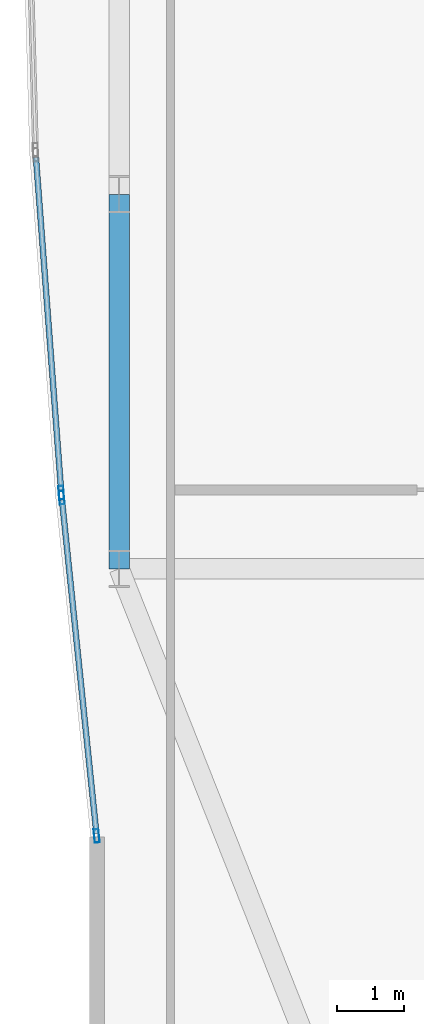
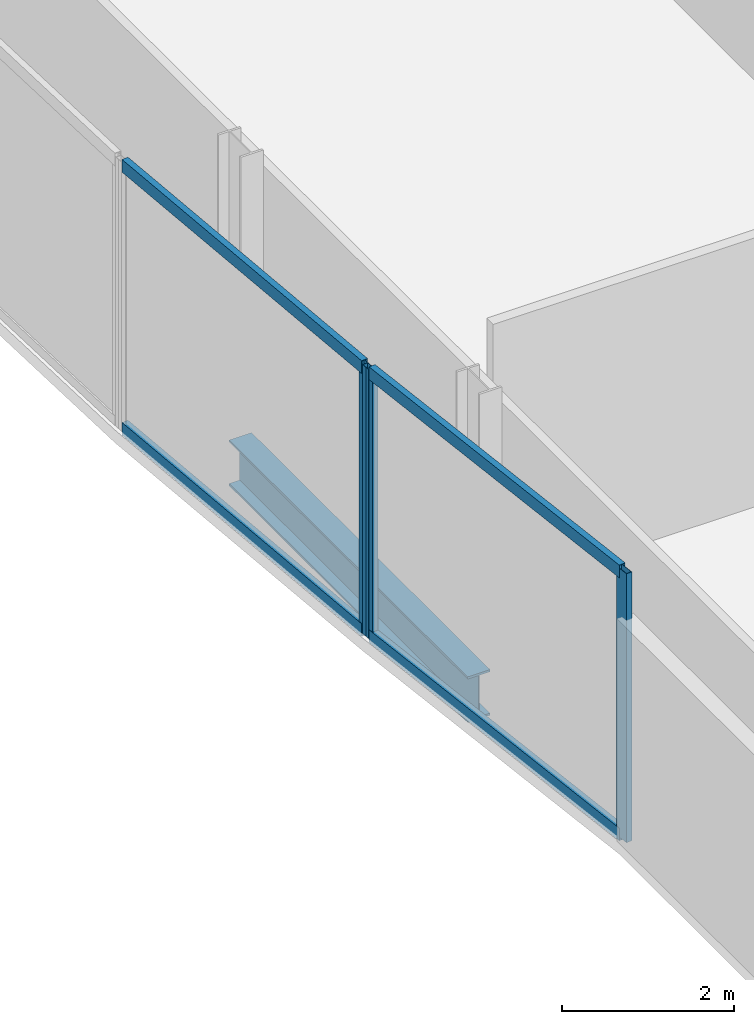
# One storey, part 6 of 32: 7 members, 1 beam, 2 elements without a shape of their own.
"""IFC4 building model written with IfcOpenShell, lengths in metres."""

from ifc_helpers import new_model, si_unit, direction, frame, origin, origin_2d, place, context, subcontext, project, spatial, hollow_rectangle, i_section, extrude, material, material_profile, profile_set, type_object, element, aggregate, save


model = new_model("IFC4")

# Units and contexts
model_context = context("Model", 3, precision=1e-05, world=origin(), true_north=direction((0.0, 1.0)))
body_context = subcontext(model_context, "Body", "Model", "MODEL_VIEW")
ifc_project = project(units=[si_unit("LENGTHUNIT", "METRE"), si_unit("AREAUNIT", "SQUARE_METRE"), si_unit("VOLUMEUNIT", "CUBIC_METRE"), si_unit("PLANEANGLEUNIT", "RADIAN"), si_unit("MASSUNIT", "GRAM", prefix="KILO")], contexts=[model_context])

# Site, building, storey
site_placement = place(None, origin())
site = spatial("IfcSite", under=ifc_project, at=site_placement, CompositionType="ELEMENT")
building_placement = place(site_placement, origin())
building = spatial("IfcBuilding", under=site, at=building_placement, Name="Khoronbel Lancet Exchange", CompositionType="ELEMENT")
storey_placement = place(building_placement, frame((0.0, 0.0, 29.800048828125)))
storey = spatial("IfcBuildingStorey", under=building, at=storey_placement, Name="L06", CompositionType="ELEMENT", Elevation=29.800048828125)

# Beam
ifc_material_1 = material(Name="Steel S355", Category="steel")
ifc_material_profile_1 = material_profile(ifc_material_1, i_section(OverallWidth=0.300048828125, OverallDepth=0.64990234375, WebThickness=0.01611328125, FlangeThickness=0.031005859375, at=origin_2d()), Name="HEB 650")
ifc_profile_set_1 = profile_set([ifc_material_profile_1], Name="Steel S355")
beam_type = type_object("IfcBeamType", Name="BM-BSP1", PredefinedType="SPANDREL", material=ifc_profile_set_1)
beam_placement = place(storey_placement, frame((1.27001953125, 24.75, -0.505126953125), z_axis=(0.0, -1.0, 0.0), x_axis=(1.0, 0.0, 0.0)))
element("IfcBeam", 1, at=beam_placement, inside=storey, type_object=beam_type, Name="Level L06 perimeter spandrel beam SP20", PredefinedType="SPANDREL", context=body_context, shape_type="SweptSolid", body=[
    extrude(i_section(OverallWidth=0.300048828125, OverallDepth=0.64990234375, WebThickness=0.01611328125, FlangeThickness=0.031005859375, at=origin_2d()), origin(), (0.0, 0.0, 1.0), 5.550048828125),
])

# Curtain wall, members
ifc_material_2 = material(Name="Low-E Solar Control Insulating Glass", Category="glass")
curtain_wall_type = type_object("IfcCurtainWallType", Name="CW-4", PredefinedType="NOTDEFINED", material=ifc_material_2)
curtain_wall_1_placement = place(storey_placement, origin())
curtain_wall_1 = element("IfcCurtainWall", 2, at=curtain_wall_1_placement, inside=storey, type_object=curtain_wall_type, Name="Unitised curtain wall CW-L06-E04", PredefinedType="NOTDEFINED")
ifc_material_3 = material(Name="Bronze-Anodised Aluminium 6063-T6", Category="aluminium")
ifc_material_profile_2 = material_profile(ifc_material_3, hollow_rectangle(XDim=0.074951171875, YDim=0.199951171875, WallThickness=0.0048828125, at=origin_2d()), Name="ALU MULLION 75x200")
ifc_profile_set_2 = profile_set([ifc_material_profile_2], Name="Bronze-Anodised Aluminium 6063-T6")
member_type_1 = type_object("IfcMemberType", Name="MEM-CWM2", PredefinedType="MULLION", material=ifc_profile_set_2)
member_1_placement = place(storey_placement, frame((0.93603515625, 15.241943359375, 0.0), z_axis=(0.0, 0.0, 1.0), x_axis=(-0.994709998998, -0.102723015403, 0.0)))
member_1 = element("IfcMember", 3, at=member_1_placement, type_object=member_type_1, Name="CW4 mullion 1", PredefinedType="MULLION", context=body_context, shape_type="SweptSolid", body=[
    extrude(hollow_rectangle(XDim=0.074951171875, YDim=0.199951171875, WallThickness=0.0048828125, at=origin_2d()), origin(), (0.0, 0.0, 1.0), 3.820068359375),
])
member_2_placement = place(storey_placement, frame((0.41845703125, 20.25390625, 0.0), z_axis=(0.0, 0.0, 1.0), x_axis=(-0.994709998998, -0.102723015403, 0.0)))
member_2 = element("IfcMember", 4, at=member_2_placement, type_object=member_type_1, Name="CW4 mullion 2", PredefinedType="MULLION", context=body_context, shape_type="SweptSolid", body=[
    extrude(hollow_rectangle(XDim=0.074951171875, YDim=0.199951171875, WallThickness=0.0048828125, at=origin_2d()), origin(), (0.0, 0.0, 1.0), 3.820068359375),
])

# Curtain wall, member
curtain_wall_2_placement = place(storey_placement, origin())
curtain_wall_2 = element("IfcCurtainWall", 5, at=curtain_wall_2_placement, inside=storey, type_object=curtain_wall_type, Name="Unitised curtain wall CW-L06-E05", PredefinedType="NOTDEFINED")
member_3_placement = place(storey_placement, frame((0.411865234375, 20.32861328125, 0.0), z_axis=(0.0, 0.0, 1.0), x_axis=(-0.997153744129, -0.075395030141, 0.0)))
member_3 = element("IfcMember", 6, at=member_3_placement, type_object=member_type_1, Name="CW4 mullion 1", PredefinedType="MULLION", context=body_context, shape_type="SweptSolid", body=[
    extrude(hollow_rectangle(XDim=0.074951171875, YDim=0.199951171875, WallThickness=0.0048828125, at=origin_2d()), origin(), (0.0, 0.0, 1.0), 3.820068359375),
])

# Member
ifc_material_profile_3 = material_profile(ifc_material_3, hollow_rectangle(XDim=0.0849609375, YDim=0.179931640625, WallThickness=0.0048828125, at=origin_2d()), Name="ALU TRANSOM 85x180")
ifc_profile_set_3 = profile_set([ifc_material_profile_3], Name="Bronze-Anodised Aluminium 6063-T6")
member_type_2 = type_object("IfcMemberType", Name="MEM-CWT1", PredefinedType="USERDEFINED", material=ifc_profile_set_3)
member_4_placement = place(storey_placement, frame((0.932373046875, 15.279296875, 0.04248046875), z_axis=(-0.102746446428, 0.994707579013, 0.0), x_axis=(-0.994707579013, -0.102746446428, 0.0)))
member_4 = element("IfcMember", 7, at=member_4_placement, type_object=member_type_2, Name="CW4 transom 1.1", ObjectType="TRANSOM", PredefinedType="USERDEFINED", context=body_context, shape_type="SweptSolid", body=[
    extrude(hollow_rectangle(XDim=0.0849609375, YDim=0.179931640625, WallThickness=0.0048828125, at=origin_2d()), origin(), (0.0, 0.0, 1.0), 4.9638671875),
])

member_5_placement = place(storey_placement, frame((0.932373046875, 15.279296875, 3.77734375), z_axis=(-0.102746446428, 0.994707579013, 0.0), x_axis=(-0.994707579013, -0.102746446428, 0.0)))
member_5 = element("IfcMember", 8, at=member_5_placement, type_object=member_type_2, Name="CW4 transom 1.2", ObjectType="TRANSOM", PredefinedType="USERDEFINED", context=body_context, shape_type="SweptSolid", body=[
    extrude(hollow_rectangle(XDim=0.0849609375, YDim=0.179931640625, WallThickness=0.0048828125, at=origin_2d()), origin(), (0.0, 0.0, 1.0), 4.9638671875),
])

aggregate(curtain_wall_1, [member_1, member_2, member_4, member_5])

member_6_placement = place(storey_placement, frame((0.408935546875, 20.365966796875, 0.04248046875), z_axis=(-0.07539383567, 0.997153834442, 0.0), x_axis=(-0.997153834442, -0.07539383567, 0.0)))
member_6 = element("IfcMember", 9, at=member_6_placement, type_object=member_type_2, Name="CW4 transom 1.1", ObjectType="TRANSOM", PredefinedType="USERDEFINED", context=body_context, shape_type="SweptSolid", body=[
    extrude(hollow_rectangle(XDim=0.0849609375, YDim=0.179931640625, WallThickness=0.0048828125, at=origin_2d()), origin(), (0.0, 0.0, 1.0), 4.94482421875),
])

member_7_placement = place(storey_placement, frame((0.408935546875, 20.365966796875, 3.77734375), z_axis=(-0.07539383567, 0.997153834442, 0.0), x_axis=(-0.997153834442, -0.07539383567, 0.0)))
member_7 = element("IfcMember", 10, at=member_7_placement, type_object=member_type_2, Name="CW4 transom 1.2", ObjectType="TRANSOM", PredefinedType="USERDEFINED", context=body_context, shape_type="SweptSolid", body=[
    extrude(hollow_rectangle(XDim=0.0849609375, YDim=0.179931640625, WallThickness=0.0048828125, at=origin_2d()), origin(), (0.0, 0.0, 1.0), 4.94482421875),
])

aggregate(curtain_wall_2, [member_3, member_6, member_7])

save(model, "model.ifc")
